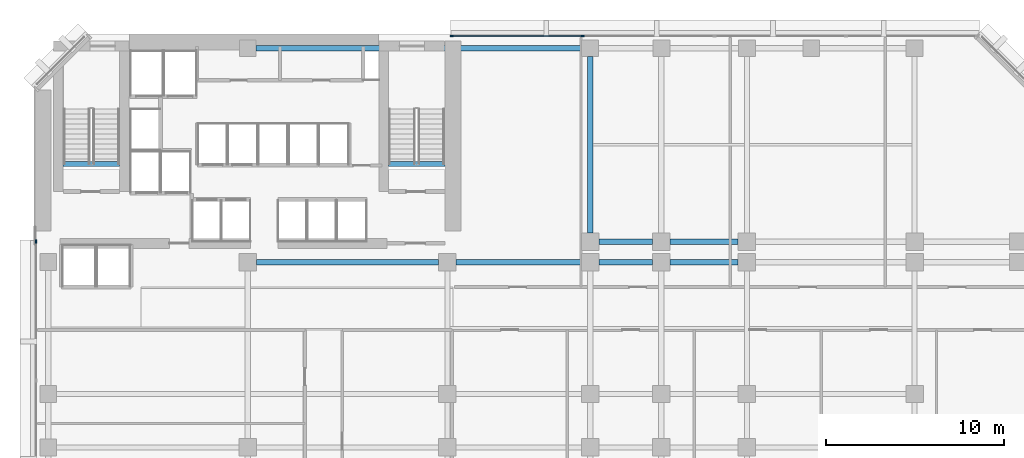
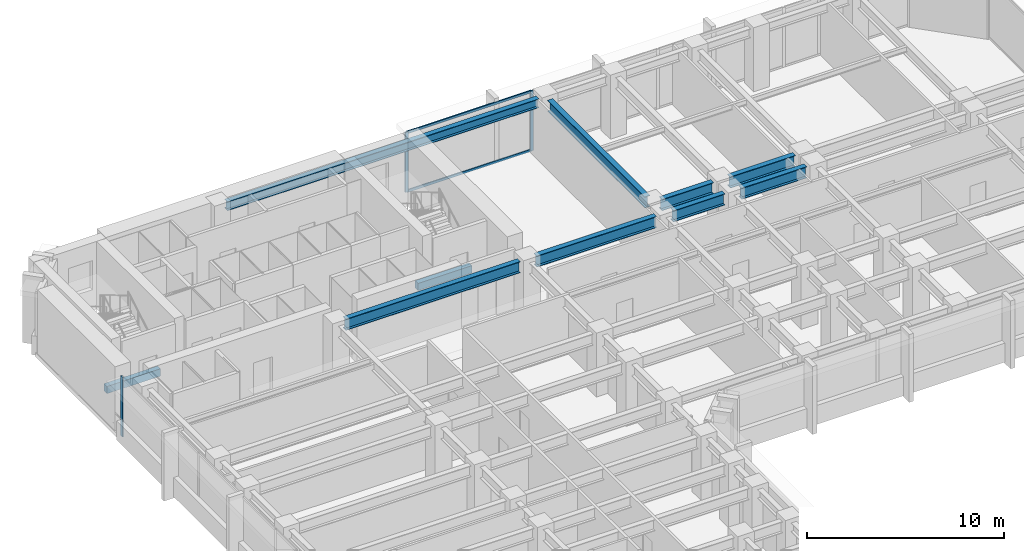
# One storey, part 4 of 13: 10 beams, 5 members, 2 elements without a shape of their own.
"""IFC4 building model written with IfcOpenShell, lengths in metres."""

from ifc_helpers import new_model, si_unit, direction, frame, origin, origin_2d, place, context, subcontext, project, spatial, rectangle, i_section, extrude, material, layer, layer_set, material_profile, profile_set, type_object, element, aggregate, save


model = new_model("IFC4")

# Units and contexts
model_context = context("Model", 3, precision=1e-05, world=origin(), true_north=direction((0.0, 1.0)))
body_context = subcontext(model_context, "Body", "Model", "MODEL_VIEW")
ifc_project = project(units=[si_unit("LENGTHUNIT", "METRE"), si_unit("AREAUNIT", "SQUARE_METRE"), si_unit("VOLUMEUNIT", "CUBIC_METRE"), si_unit("PLANEANGLEUNIT", "RADIAN"), si_unit("MASSUNIT", "GRAM", prefix="KILO")], contexts=[model_context])

# Site, building, storey
site_placement = place(None, origin())
site = spatial("IfcSite", under=ifc_project, at=site_placement, CompositionType="ELEMENT")
building_placement = place(site_placement, origin())
building = spatial("IfcBuilding", under=site, at=building_placement, Name="Kefirva Bronze Tower", CompositionType="ELEMENT")
storey_placement = place(building_placement, frame((0.0, 0.0, 62.0400390625)))
storey = spatial("IfcBuildingStorey", under=building, at=storey_placement, Name="L14", CompositionType="ELEMENT", Elevation=62.0400390625)

# Curtain wall, members
ifc_material_1 = material(Name="Bronze anodised aluminium", Category="aluminium")
ifc_layer = layer(ifc_material_1, 0.199951171875, Name="Bronze anodised aluminium")
ifc_layer_set = layer_set([ifc_layer], Name="Bronze anodised aluminium")
curtain_wall_type = type_object("IfcCurtainWallType", Name="Unitised Bronze Ribbon Curtain Wall Zone 1", PredefinedType="USERDEFINED", material=ifc_layer_set)
curtain_wall_1_placement = place(storey_placement, origin())
curtain_wall_1 = element("IfcCurtainWall", 1, at=curtain_wall_1_placement, inside=storey, type_object=curtain_wall_type, Name="L14 Curtain Wall 4", ObjectType="UNITISED CURTAIN WALL", PredefinedType="USERDEFINED")
ifc_material_profile_1 = material_profile(ifc_material_1, rectangle(XDim=0.074951171875, YDim=0.179931640625, at=origin_2d()), Name="ALU 75x180")
ifc_profile_set_1 = profile_set([ifc_material_profile_1], Name="Bronze anodised aluminium")
member_type_1 = type_object("IfcMemberType", Name="Bronze Mullion 75x180", PredefinedType="MULLION", material=ifc_profile_set_1)
member_1_placement = place(storey_placement, frame((30.7900390625, 45.8798828125, 0.0), z_axis=(0.0, 0.0, 1.0), x_axis=(0.0, -1.0, 0.0)))
member_1 = element("IfcMember", 2, at=member_1_placement, type_object=member_type_1, Name="CW-01 mullion 4", PredefinedType="MULLION", context=body_context, shape_type="SweptSolid", body=[
    extrude(rectangle(XDim=0.074951171875, YDim=0.179931640625, at=origin_2d()), origin(), (0.0, 0.0, 1.0), 3.7099609375),
])
member_2_placement = place(storey_placement, frame((23.4423828125, 45.8798828125, 0.0), z_axis=(0.0, 0.0, 1.0), x_axis=(0.0, -1.0, 0.0)))
member_2 = element("IfcMember", 3, at=member_2_placement, type_object=member_type_1, Name="CW-01 mullion 5", PredefinedType="MULLION", context=body_context, shape_type="SweptSolid", body=[
    extrude(rectangle(XDim=0.074951171875, YDim=0.179931640625, at=origin_2d()), origin(), (0.0, 0.0, 1.0), 3.7099609375),
])

# Curtain wall, member
curtain_wall_2_placement = place(storey_placement, origin())
curtain_wall_2 = element("IfcCurtainWall", 4, at=curtain_wall_2_placement, inside=storey, type_object=curtain_wall_type, Name="L14 Curtain Wall 5", ObjectType="UNITISED CURTAIN WALL", PredefinedType="USERDEFINED")
member_3_placement = place(storey_placement, frame((0.1201171875, 34.357421875, 0.0), z_axis=(0.0, 0.0, 1.0), x_axis=(1.0, 0.0, 0.0)))
member_3 = element("IfcMember", 5, at=member_3_placement, type_object=member_type_1, Name="CW-01 mullion 1", PredefinedType="MULLION", context=body_context, shape_type="SweptSolid", body=[
    extrude(rectangle(XDim=0.074951171875, YDim=0.179931640625, at=origin_2d()), origin(), (0.0, 0.0, 1.0), 3.7099609375),
])
aggregate(curtain_wall_2, [member_3])

# Member
ifc_material_profile_2 = material_profile(ifc_material_1, rectangle(XDim=0.074951171875, YDim=0.14990234375, at=origin_2d()), Name="ALU 75x150")
ifc_profile_set_2 = profile_set([ifc_material_profile_2], Name="Bronze anodised aluminium")
member_type_2 = type_object("IfcMemberType", Name="Bronze Transom 75x150", PredefinedType="USERDEFINED", material=ifc_profile_set_2)
member_4_placement = place(storey_placement, frame((30.75244140625, 45.8798828125, 0.037353515625), z_axis=(-1.0, 0.0, 0.0), x_axis=(0.0, -1.0, 0.0)))
member_4 = element("IfcMember", 6, at=member_4_placement, type_object=member_type_2, Name="CW-01 transom 4.1", ObjectType="TRANSOM", PredefinedType="USERDEFINED", context=body_context, shape_type="SweptSolid", body=[
    extrude(rectangle(XDim=0.074951171875, YDim=0.14990234375, at=origin_2d()), origin(), (0.0, 0.0, 1.0), 7.2724609375),
])

member_5_placement = place(storey_placement, frame((30.75244140625, 45.8798828125, 3.67236328125), z_axis=(-1.0, 0.0, 0.0), x_axis=(0.0, -1.0, 0.0)))
member_5 = element("IfcMember", 7, at=member_5_placement, type_object=member_type_2, Name="CW-01 transom 4.2", ObjectType="TRANSOM", PredefinedType="USERDEFINED", context=body_context, shape_type="SweptSolid", body=[
    extrude(rectangle(XDim=0.074951171875, YDim=0.14990234375, at=origin_2d()), origin(), (0.0, 0.0, 1.0), 7.2724609375),
])

aggregate(curtain_wall_1, [member_1, member_2, member_4, member_5])

# Beams
ifc_material_2 = material(Name="Concrete C50/60", Category="concrete")
ifc_material_profile_3 = material_profile(ifc_material_2, rectangle(XDim=0.300048828125, YDim=0.449951171875, at=origin_2d()), Name="RC 300x450")
ifc_profile_set_3 = profile_set([ifc_material_profile_3], Name="Concrete C50/60")
beam_type_1 = type_object("IfcBeamType", Name="RC Stair Trimmer Beam 300x450", PredefinedType="BEAM", material=ifc_profile_set_3)
beam_1_placement = place(storey_placement, frame((1.64501953125, 38.699951171875, -0.22509765625), z_axis=(1.0, 0.0, 0.0), x_axis=(0.0, 1.0, 0.0)))
element("IfcBeam", 8, at=beam_1_placement, inside=storey, type_object=beam_type_1, Name="L14 Stair 1 Landing Trimmer Beam", PredefinedType="BEAM", context=body_context, shape_type="SweptSolid", body=[
    extrude(rectangle(XDim=0.300048828125, YDim=0.449951171875, at=origin_2d()), origin(), (0.0, 0.0, 1.0), 3.14990234375),
])
beam_2_placement = place(storey_placement, frame((19.89501953125, 38.699951171875, -0.22509765625), z_axis=(1.0, 0.0, 0.0), x_axis=(0.0, 1.0, 0.0)))
element("IfcBeam", 9, at=beam_2_placement, inside=storey, type_object=beam_type_1, Name="L14 Stair 2 Landing Trimmer Beam", PredefinedType="BEAM", context=body_context, shape_type="SweptSolid", body=[
    extrude(rectangle(XDim=0.300048828125, YDim=0.449951171875, at=origin_2d()), origin(), (0.0, 0.0, 1.0), 3.159912109375),
])
ifc_material_3 = material(Name="Steel S355", Category="steel")
ifc_material_profile_4 = material_profile(ifc_material_3, i_section(OverallWidth=0.300048828125, OverallDepth=0.699951171875, WebThickness=0.01708984375, FlangeThickness=0.031982421875, at=origin_2d()), Name="HEB 700")
ifc_profile_set_4 = profile_set([ifc_material_profile_4], Name="Steel S355")
beam_type_2 = type_object("IfcBeamType", Name="Steel Girder HEB 700", PredefinedType="USERDEFINED", material=ifc_profile_set_4)
beam_3_placement = place(storey_placement, frame((12.489990234375, 33.199951171875, 3.35986328125), z_axis=(1.0, 0.0, 0.0), x_axis=(0.0, 1.0, 0.0)))
element("IfcBeam", 10, at=beam_3_placement, inside=storey, type_object=beam_type_2, Name="L14 BM-L14-EW-12-332", ObjectType="GIRDER", PredefinedType="USERDEFINED", context=body_context, shape_type="SweptSolid", body=[
    extrude(i_section(OverallWidth=0.300048828125, OverallDepth=0.699951171875, WebThickness=0.01708984375, FlangeThickness=0.031982421875, at=origin_2d()), origin(), (0.0, 0.0, 1.0), 10.219970703125),
])
beam_4_placement = place(storey_placement, frame((23.68994140625, 33.199951171875, 3.35986328125), z_axis=(1.0, 0.0, 0.0), x_axis=(0.0, 1.0, 0.0)))
element("IfcBeam", 11, at=beam_4_placement, inside=storey, type_object=beam_type_2, Name="L14 BM-L14-EW-23-332", ObjectType="GIRDER", PredefinedType="USERDEFINED", context=body_context, shape_type="SweptSolid", body=[
    extrude(i_section(OverallWidth=0.300048828125, OverallDepth=0.699951171875, WebThickness=0.01708984375, FlangeThickness=0.031982421875, at=origin_2d()), origin(), (0.0, 0.0, 1.0), 7.02001953125),
])
beam_5_placement = place(storey_placement, frame((31.68994140625, 33.199951171875, 3.35986328125), z_axis=(1.0, 0.0, 0.0), x_axis=(0.0, 1.0, 0.0)))
element("IfcBeam", 12, at=beam_5_placement, inside=storey, type_object=beam_type_2, Name="L14 BM-L14-EW-31-332", ObjectType="GIRDER", PredefinedType="USERDEFINED", context=body_context, shape_type="SweptSolid", body=[
    extrude(i_section(OverallWidth=0.300048828125, OverallDepth=0.699951171875, WebThickness=0.01708984375, FlangeThickness=0.031982421875, at=origin_2d()), origin(), (0.0, 0.0, 1.0), 3.02001953125),
])
beam_6_placement = place(storey_placement, frame((35.68994140625, 33.199951171875, 3.35986328125), z_axis=(1.0, 0.0, 0.0), x_axis=(0.0, 1.0, 0.0)))
element("IfcBeam", 13, at=beam_6_placement, inside=storey, type_object=beam_type_2, Name="L14 BM-L14-EW-35-332", ObjectType="GIRDER", PredefinedType="USERDEFINED", context=body_context, shape_type="SweptSolid", body=[
    extrude(i_section(OverallWidth=0.300048828125, OverallDepth=0.699951171875, WebThickness=0.01708984375, FlangeThickness=0.031982421875, at=origin_2d()), origin(), (0.0, 0.0, 1.0), 3.820068359375),
])
beam_7_placement = place(storey_placement, frame((31.68994140625, 34.35009765625, 3.35986328125), z_axis=(1.0, 0.0, 0.0), x_axis=(0.0, 1.0, 0.0)))
element("IfcBeam", 14, at=beam_7_placement, inside=storey, type_object=beam_type_2, Name="L14 BM-L14-EW-31-344", ObjectType="GIRDER", PredefinedType="USERDEFINED", context=body_context, shape_type="SweptSolid", body=[
    extrude(i_section(OverallWidth=0.300048828125, OverallDepth=0.699951171875, WebThickness=0.01708984375, FlangeThickness=0.031982421875, at=origin_2d()), origin(), (0.0, 0.0, 1.0), 3.02001953125),
])
beam_8_placement = place(storey_placement, frame((35.68994140625, 34.35009765625, 3.35986328125), z_axis=(1.0, 0.0, 0.0), x_axis=(0.0, 1.0, 0.0)))
element("IfcBeam", 15, at=beam_8_placement, inside=storey, type_object=beam_type_2, Name="L14 BM-L14-EW-35-344", ObjectType="GIRDER", PredefinedType="USERDEFINED", context=body_context, shape_type="SweptSolid", body=[
    extrude(i_section(OverallWidth=0.300048828125, OverallDepth=0.699951171875, WebThickness=0.01708984375, FlangeThickness=0.031982421875, at=origin_2d()), origin(), (0.0, 0.0, 1.0), 3.820068359375),
])
beam_9_placement = place(storey_placement, frame((31.199951171875, 34.840087890625, 3.35986328125), z_axis=(0.0, 1.0, 0.0), x_axis=(-1.0, 0.0, 0.0)))
element("IfcBeam", 16, at=beam_9_placement, inside=storey, type_object=beam_type_2, Name="L14 BM-L14-NS-312-34", ObjectType="GIRDER", PredefinedType="USERDEFINED", context=body_context, shape_type="SweptSolid", body=[
    extrude(i_section(OverallWidth=0.300048828125, OverallDepth=0.699951171875, WebThickness=0.01708984375, FlangeThickness=0.031982421875, at=origin_2d()), origin(), (0.0, 0.0, 1.0), 9.889892578125),
])
ifc_material_profile_5 = material_profile(ifc_material_3, i_section(OverallWidth=0.300048828125, OverallDepth=0.550048828125, WebThickness=0.014892578125, FlangeThickness=0.029052734375, at=origin_2d()), Name="HEB 550")
ifc_profile_set_5 = profile_set([ifc_material_profile_5], Name="Steel S355")
beam_type_3 = type_object("IfcBeamType", Name="Steel Spandrel HEB 550 Ext", PredefinedType="SPANDREL", material=ifc_profile_set_5)
beam_10_placement = place(storey_placement, frame((12.469970703125, 45.199951171875, 3.43505859375), z_axis=(1.0, 0.0, 0.0), x_axis=(0.0, 1.0, 0.0)))
element("IfcBeam", 17, at=beam_10_placement, inside=storey, type_object=beam_type_3, Name="L14 BM-L14-EW-12-452", PredefinedType="SPANDREL", context=body_context, shape_type="SweptSolid", body=[
    extrude(i_section(OverallWidth=0.300048828125, OverallDepth=0.550048828125, WebThickness=0.014892578125, FlangeThickness=0.029052734375, at=origin_2d()), origin(), (0.0, 0.0, 1.0), 18.260009765625),
])

save(model, "model.ifc")
